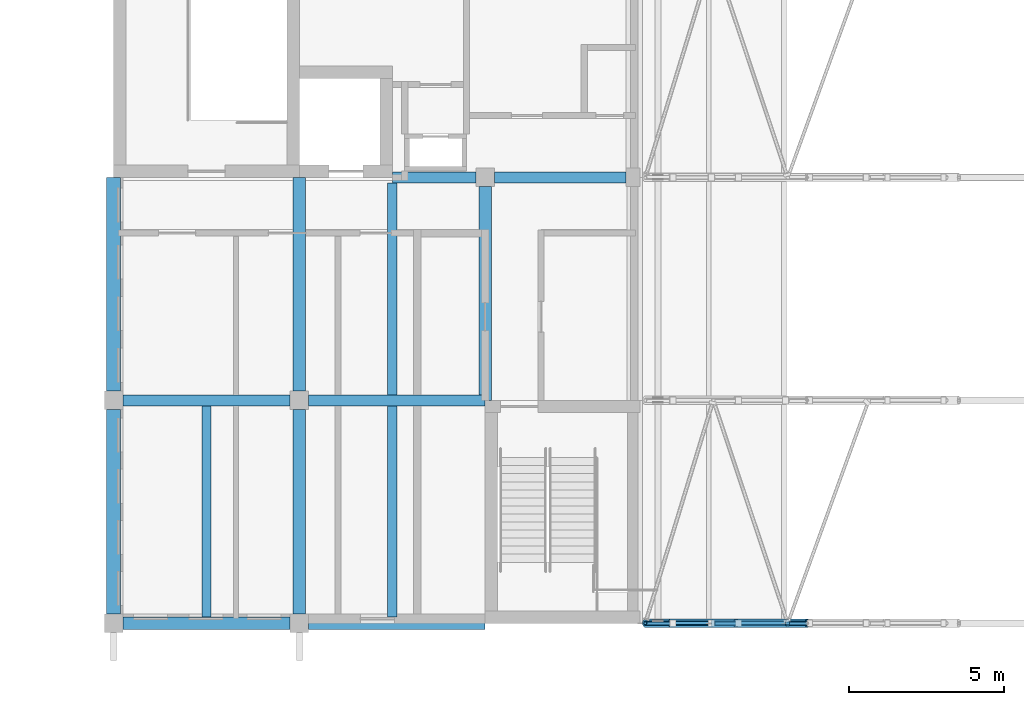
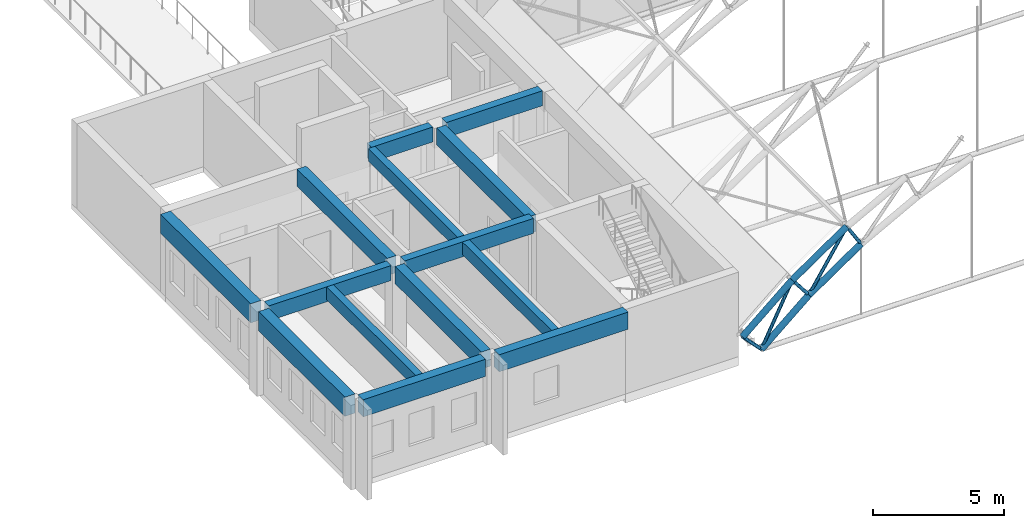
# One storey, part 3 of 101: 14 beams, 9 members.
"""IFC4 building model written with IfcOpenShell, lengths in metres."""

from ifc_helpers import new_model, si_unit, direction, frame, origin, origin_2d, place, context, subcontext, project, spatial, rectangle, hollow_circle, extrude, material, material_profile, profile_set, type_object, element, save


model = new_model("IFC4")

# Units and contexts
model_context = context("Model", 3, precision=1e-05, world=origin(), true_north=direction((0.0, 1.0)))
body_context = subcontext(model_context, "Body", "Model", "MODEL_VIEW")
ifc_project = project(units=[si_unit("LENGTHUNIT", "METRE"), si_unit("AREAUNIT", "SQUARE_METRE"), si_unit("VOLUMEUNIT", "CUBIC_METRE"), si_unit("PLANEANGLEUNIT", "RADIAN"), si_unit("MASSUNIT", "GRAM", prefix="KILO")], contexts=[model_context])

# Site, building, storey
site_placement = place(None, origin())
site = spatial("IfcSite", under=ifc_project, at=site_placement, CompositionType="ELEMENT")
building_placement = place(site_placement, origin())
building = spatial("IfcBuilding", under=site, at=building_placement, Name="Laocheng Heights Fire and Rescue Headquarters", CompositionType="ELEMENT")
storey_placement = place(building_placement, frame((0.0, 0.0, 8.39990234375)))
storey = spatial("IfcBuildingStorey", under=building, at=storey_placement, Name="L02", CompositionType="ELEMENT", Elevation=8.39990234375)

# Members
ifc_material_1 = material(Name="Steel Q355B", Category="steel")
ifc_material_profile_1 = material_profile(ifc_material_1, hollow_circle(Radius=0.136474609375, WallThickness=0.011962890625, at=origin_2d()), Name="CHS 273x12")
ifc_profile_set_1 = profile_set([ifc_material_profile_1], Name="Steel Q355B")
member_type_1 = type_object("IfcMemberType", Name="BAY ROOF CHORD CHS 273x12", PredefinedType="CHORD", material=ifc_profile_set_1)
member_1_placement = place(storey_placement, frame((17.172119140625, 0.0, 0.869140625), z_axis=(0.759780870103, 0.0, 0.650179228694), x_axis=(0.0, 1.0, 0.0)))
element("IfcMember", 1, at=member_1_placement, inside=storey, type_object=member_type_1, Name="Truss TR1 upper chord 01", PredefinedType="CHORD", context=body_context, shape_type="SweptSolid", body=[
    extrude(hollow_circle(Radius=0.136474609375, WallThickness=0.011962890625, at=origin_2d()), origin(), (0.0, 0.0, 1.0), 2.891357421875),
])
member_2_placement = place(storey_placement, frame((19.368896484375, 0.0, 2.7490234375), z_axis=(0.824366402467, 0.0, 0.566056564738), x_axis=(0.0, 1.0, 0.0)))
element("IfcMember", 2, at=member_2_placement, inside=storey, type_object=member_type_1, Name="Truss TR1 upper chord 02", PredefinedType="CHORD", context=body_context, shape_type="SweptSolid", body=[
    extrude(hollow_circle(Radius=0.136474609375, WallThickness=0.011962890625, at=origin_2d()), origin(), (0.0, 0.0, 1.0), 2.918701171875),
])
member_3_placement = place(storey_placement, frame((18.0, 0.0, 0.0), z_axis=(0.759611792673, 0.0, 0.650376755759), x_axis=(0.0, 1.0, 0.0)))
element("IfcMember", 3, at=member_3_placement, inside=storey, type_object=member_type_1, Name="Truss TR1 lower chord 01", PredefinedType="CHORD", context=body_context, shape_type="SweptSolid", body=[
    extrude(hollow_circle(Radius=0.136474609375, WallThickness=0.011962890625, at=origin_2d()), origin(), (0.0, 0.0, 1.0), 2.7646484375),
])
member_4_placement = place(storey_placement, frame((20.10009765625, 0.0, 1.798095703125), z_axis=(0.824378833686, 0.0, 0.566038460327), x_axis=(0.0, 1.0, 0.0)))
element("IfcMember", 4, at=member_4_placement, inside=storey, type_object=member_type_1, Name="Truss TR1 lower chord 02", PredefinedType="CHORD", context=body_context, shape_type="SweptSolid", body=[
    extrude(hollow_circle(Radius=0.136474609375, WallThickness=0.011962890625, at=origin_2d()), origin(), (0.0, 0.0, 1.0), 2.789794921875),
])
ifc_material_2 = material(Name="Steel Q355B", Category="steel")
ifc_material_profile_2 = material_profile(ifc_material_2, hollow_circle(Radius=0.06982421875, WallThickness=0.006103515625, at=origin_2d()), Name="CHS 139.7x6")
ifc_profile_set_2 = profile_set([ifc_material_profile_2], Name="Steel Q355B")
member_type_2 = type_object("IfcMemberType", Name="BAY ROOF DIAG CHS 139.7x6", PredefinedType="BRACE", material=ifc_profile_set_2)
member_5_placement = place(storey_placement, frame((18.0, 0.0, 0.0), z_axis=(0.445750218044, 0.0, 0.89515738455), x_axis=(0.0, 1.0, 0.0)))
element("IfcMember", 5, at=member_5_placement, inside=storey, type_object=member_type_2, Name="Truss diagonal TR1-01", PredefinedType="BRACE", context=body_context, shape_type="SweptSolid", body=[
    extrude(hollow_circle(Radius=0.06982421875, WallThickness=0.006103515625, at=origin_2d()), origin(), (0.0, 0.0, 1.0), 3.071044921875),
])
member_6_placement = place(storey_placement, frame((20.10009765625, 0.0, 1.798095703125), z_axis=(0.541084441546, 0.0, 0.840968267604), x_axis=(0.0, 1.0, 0.0)))
element("IfcMember", 6, at=member_6_placement, inside=storey, type_object=member_type_2, Name="Truss diagonal TR1-02", PredefinedType="BRACE", context=body_context, shape_type="SweptSolid", body=[
    extrude(hollow_circle(Radius=0.06982421875, WallThickness=0.006103515625, at=origin_2d()), origin(), (0.0, 0.0, 1.0), 3.09521484375),
])
ifc_material_3 = material(Name="Steel Q355B", Category="steel")
ifc_material_profile_3 = material_profile(ifc_material_3, hollow_circle(Radius=0.06982421875, WallThickness=0.006103515625, at=origin_2d()), Name="CHS 139.7x6")
ifc_profile_set_3 = profile_set([ifc_material_profile_3], Name="Steel Q355B")
member_type_3 = type_object("IfcMemberType", Name="BAY ROOF POST CHS 139.7x6", PredefinedType="POST", material=ifc_profile_set_3)
member_7_placement = place(storey_placement, frame((18.0, 0.0, 0.0), z_axis=(-0.689711037364, 0.0, 0.72408472221), x_axis=(0.0, -1.0, 0.0)))
element("IfcMember", 7, at=member_7_placement, inside=storey, type_object=member_type_3, Name="Truss TR1 radial post 00", PredefinedType="POST", context=body_context, shape_type="SweptSolid", body=[
    extrude(hollow_circle(Radius=0.06982421875, WallThickness=0.006103515625, at=origin_2d()), origin(), (0.0, 0.0, 1.0), 1.200439453125),
])
member_8_placement = place(storey_placement, frame((20.10009765625, 0.0, 1.798095703125), z_axis=(-0.609563212164, 0.0, 0.792737466237), x_axis=(0.0, -1.0, 0.0)))
element("IfcMember", 8, at=member_8_placement, inside=storey, type_object=member_type_3, Name="Truss TR1 radial post 01", PredefinedType="POST", context=body_context, shape_type="SweptSolid", body=[
    extrude(hollow_circle(Radius=0.06982421875, WallThickness=0.006103515625, at=origin_2d()), origin(), (0.0, 0.0, 1.0), 1.199462890625),
])
member_9_placement = place(storey_placement, frame((22.39990234375, 0.0, 3.377197265625), z_axis=(-0.521005401076, 0.0, 0.853553379731), x_axis=(0.0, -1.0, 0.0)))
element("IfcMember", 9, at=member_9_placement, inside=storey, type_object=member_type_3, Name="Truss TR1 radial post 02", PredefinedType="POST", context=body_context, shape_type="SweptSolid", body=[
    extrude(hollow_circle(Radius=0.06982421875, WallThickness=0.006103515625, at=origin_2d()), origin(), (0.0, 0.0, 1.0), 1.19970703125),
])

# Beams
ifc_material_4 = material(Name="Concrete C40", Category="concrete")
ifc_material_profile_4 = material_profile(ifc_material_4, rectangle(XDim=0.300048828125, YDim=0.60009765625, at=origin_2d()), Name="RC BEAM 300x600 PAVILION SECONDARY")
ifc_profile_set_4 = profile_set([ifc_material_profile_4], Name="Concrete C40")
beam_type_1 = type_object("IfcBeamType", Name="RC BEAM 300x600 PAVILION SECONDARY", PredefinedType="BEAM", material=ifc_profile_set_4)
for number, where, z_axis, x_axis, name in (
    (10, (3.0, 0.199951171875, 3.650146484375), (0.0, 1.0, 0.0), (-1.0, 0.0, 0.0), "Pavilion secondary beam"),
    (11, (9.0, 0.199951171875, 3.650146484375), (0.0, 1.0, 0.0), (-1.0, 0.0, 0.0), "Pavilion secondary beam"),
):
    element("IfcBeam", number, at=place(storey_placement, frame(where, z_axis=z_axis, x_axis=x_axis)), inside=storey, type_object=beam_type_1, Name=name, PredefinedType="BEAM", context=body_context, shape_type="SweptSolid", body=[
        extrude(rectangle(XDim=0.300048828125, YDim=0.60009765625, at=origin_2d()), origin(), (0.0, 0.0, 1.0), 6.824951171875),
    ])
beam_1_placement = place(storey_placement, frame((9.0, 7.375, 3.650146484375), z_axis=(0.0, 1.0, 0.0), x_axis=(-1.0, 0.0, 0.0)))
element("IfcBeam", 12, at=beam_1_placement, inside=storey, type_object=beam_type_1, Name="Pavilion secondary beam", PredefinedType="BEAM", context=body_context, shape_type="SweptSolid", body=[
    extrude(rectangle(XDim=0.300048828125, YDim=0.60009765625, at=origin_2d()), origin(), (0.0, 0.0, 1.0), 6.85009765625),
])
ifc_material_5 = material(Name="Concrete C40", Category="concrete")
ifc_material_profile_5 = material_profile(ifc_material_5, rectangle(XDim=0.35009765625, YDim=0.699951171875, at=origin_2d()), Name="RC BEAM 350x700 PAVILION ROOF")
ifc_profile_set_5 = profile_set([ifc_material_profile_5], Name="Concrete C40")
beam_type_2 = type_object("IfcBeamType", Name="RC BEAM 350x700 PAVILION ROOF", PredefinedType="BEAM", material=ifc_profile_set_5)
beam_2_placement = place(storey_placement, frame((0.300048828125, 7.199951171875, 3.60009765625), z_axis=(1.0, 0.0, 0.0), x_axis=(0.0, 1.0, 0.0)))
element("IfcBeam", 13, at=beam_2_placement, inside=storey, type_object=beam_type_2, Name="Pavilion beam", PredefinedType="BEAM", context=body_context, shape_type="SweptSolid", body=[
    extrude(rectangle(XDim=0.35009765625, YDim=0.699951171875, at=origin_2d()), origin(), (0.0, 0.0, 1.0), 5.39990234375),
])
beam_3_placement = place(storey_placement, frame((6.300048828125, 7.199951171875, 3.60009765625), z_axis=(1.0, 0.0, 0.0), x_axis=(0.0, 1.0, 0.0)))
element("IfcBeam", 14, at=beam_3_placement, inside=storey, type_object=beam_type_2, Name="Pavilion beam", PredefinedType="BEAM", context=body_context, shape_type="SweptSolid", body=[
    extrude(rectangle(XDim=0.35009765625, YDim=0.699951171875, at=origin_2d()), origin(), (0.0, 0.0, 1.0), 5.699951171875),
])
beam_4_placement = place(storey_placement, frame((9.0, 14.39990234375, 3.60009765625), z_axis=(1.0, 0.0, 0.0), x_axis=(0.0, 1.0, 0.0)))
element("IfcBeam", 15, at=beam_4_placement, inside=storey, type_object=beam_type_2, Name="Pavilion beam", PredefinedType="BEAM", context=body_context, shape_type="SweptSolid", body=[
    extrude(rectangle(XDim=0.35009765625, YDim=0.699951171875, at=origin_2d()), origin(), (0.0, 0.0, 1.0), 2.699951171875),
])
beam_5_placement = place(storey_placement, frame((12.300048828125, 14.39990234375, 3.60009765625), z_axis=(1.0, 0.0, 0.0), x_axis=(0.0, 1.0, 0.0)))
element("IfcBeam", 16, at=beam_5_placement, inside=storey, type_object=beam_type_2, Name="Pavilion beam", PredefinedType="BEAM", context=body_context, shape_type="SweptSolid", body=[
    extrude(rectangle(XDim=0.35009765625, YDim=0.699951171875, at=origin_2d()), origin(), (0.0, 0.0, 1.0), 4.25),
])
ifc_material_6 = material(Name="Concrete C40", Category="concrete")
ifc_material_profile_6 = material_profile(ifc_material_6, rectangle(XDim=0.39990234375, YDim=0.800048828125, at=origin_2d()), Name="RC BEAM 400x800 PAVILION FLOOR")
ifc_profile_set_6 = profile_set([ifc_material_profile_6], Name="Concrete C40")
beam_type_3 = type_object("IfcBeamType", Name="RC BEAM 400x800 PAVILION FLOOR", PredefinedType="BEAM", material=ifc_profile_set_6)
beam_6_placement = place(storey_placement, frame((0.300048828125, 0.0, 3.550048828125), z_axis=(1.0, 0.0, 0.0), x_axis=(0.0, 1.0, 0.0)))
element("IfcBeam", 17, at=beam_6_placement, inside=storey, type_object=beam_type_3, Name="Pavilion beam", PredefinedType="BEAM", context=body_context, shape_type="SweptSolid", body=[
    extrude(rectangle(XDim=0.39990234375, YDim=0.800048828125, at=origin_2d()), origin(), (0.0, 0.0, 1.0), 5.39990234375),
])
beam_7_placement = place(storey_placement, frame((6.300048828125, 0.0, 3.550048828125), z_axis=(1.0, 0.0, 0.0), x_axis=(0.0, 1.0, 0.0)))
element("IfcBeam", 18, at=beam_7_placement, inside=storey, type_object=beam_type_3, Name="Pavilion beam", PredefinedType="BEAM", context=body_context, shape_type="SweptSolid", body=[
    extrude(rectangle(XDim=0.39990234375, YDim=0.800048828125, at=origin_2d()), origin(), (0.0, 0.0, 1.0), 5.699951171875),
])
ifc_material_7 = material(Name="Concrete C40", Category="concrete")
ifc_material_profile_7 = material_profile(ifc_material_7, rectangle(XDim=0.39990234375, YDim=0.800048828125, at=origin_2d()), Name="RC BEAM 400x800 PAVILION ROOF")
ifc_profile_set_7 = profile_set([ifc_material_profile_7], Name="Concrete C40")
beam_type_4 = type_object("IfcBeamType", Name="RC BEAM 400x800 PAVILION ROOF", PredefinedType="BEAM", material=ifc_profile_set_7)
beam_8_placement = place(storey_placement, frame((6.0, 0.300048828125, 3.550048828125), z_axis=(0.0, 1.0, 0.0), x_axis=(-1.0, 0.0, 0.0)))
element("IfcBeam", 19, at=beam_8_placement, inside=storey, type_object=beam_type_4, Name="Pavilion beam", PredefinedType="BEAM", context=body_context, shape_type="SweptSolid", body=[
    extrude(rectangle(XDim=0.39990234375, YDim=0.800048828125, at=origin_2d()), origin(), (0.0, 0.0, 1.0), 6.599853515625),
])
beam_9_placement = place(storey_placement, frame((6.0, 7.5, 3.550048828125), z_axis=(0.0, 1.0, 0.0), x_axis=(-1.0, 0.0, 0.0)))
element("IfcBeam", 20, at=beam_9_placement, inside=storey, type_object=beam_type_4, Name="Pavilion beam", PredefinedType="BEAM", context=body_context, shape_type="SweptSolid", body=[
    extrude(rectangle(XDim=0.39990234375, YDim=0.800048828125, at=origin_2d()), origin(), (0.0, 0.0, 1.0), 6.89990234375),
])
beam_10_placement = place(storey_placement, frame((12.0, 7.199951171875, 3.550048828125), z_axis=(0.0, 1.0, 0.0), x_axis=(-1.0, 0.0, 0.0)))
element("IfcBeam", 21, at=beam_10_placement, inside=storey, type_object=beam_type_4, Name="Pavilion beam", PredefinedType="BEAM", context=body_context, shape_type="SweptSolid", body=[
    extrude(rectangle(XDim=0.39990234375, YDim=0.800048828125, at=origin_2d()), origin(), (0.0, 0.0, 1.0), 6.900146484375),
])
ifc_material_8 = material(Name="Concrete C40", Category="concrete")
ifc_material_profile_8 = material_profile(ifc_material_8, rectangle(XDim=0.449951171875, YDim=0.89990234375, at=origin_2d()), Name="RC BEAM 450x900 PAVILION FLOOR")
ifc_profile_set_8 = profile_set([ifc_material_profile_8], Name="Concrete C40")
beam_type_5 = type_object("IfcBeamType", Name="RC BEAM 450x900 PAVILION FLOOR", PredefinedType="BEAM", material=ifc_profile_set_8)
beam_11_placement = place(storey_placement, frame((0.0, 0.300048828125, 3.5), z_axis=(0.0, 1.0, 0.0), x_axis=(-1.0, 0.0, 0.0)))
element("IfcBeam", 22, at=beam_11_placement, inside=storey, type_object=beam_type_5, Name="Pavilion beam", PredefinedType="BEAM", context=body_context, shape_type="SweptSolid", body=[
    extrude(rectangle(XDim=0.449951171875, YDim=0.89990234375, at=origin_2d()), origin(), (0.0, 0.0, 1.0), 6.599853515625),
])
beam_12_placement = place(storey_placement, frame((0.0, 7.5, 3.5), z_axis=(0.0, 1.0, 0.0), x_axis=(-1.0, 0.0, 0.0)))
element("IfcBeam", 23, at=beam_12_placement, inside=storey, type_object=beam_type_5, Name="Pavilion beam", PredefinedType="BEAM", context=body_context, shape_type="SweptSolid", body=[
    extrude(rectangle(XDim=0.449951171875, YDim=0.89990234375, at=origin_2d()), origin(), (0.0, 0.0, 1.0), 6.89990234375),
])

save(model, "model.ifc")
